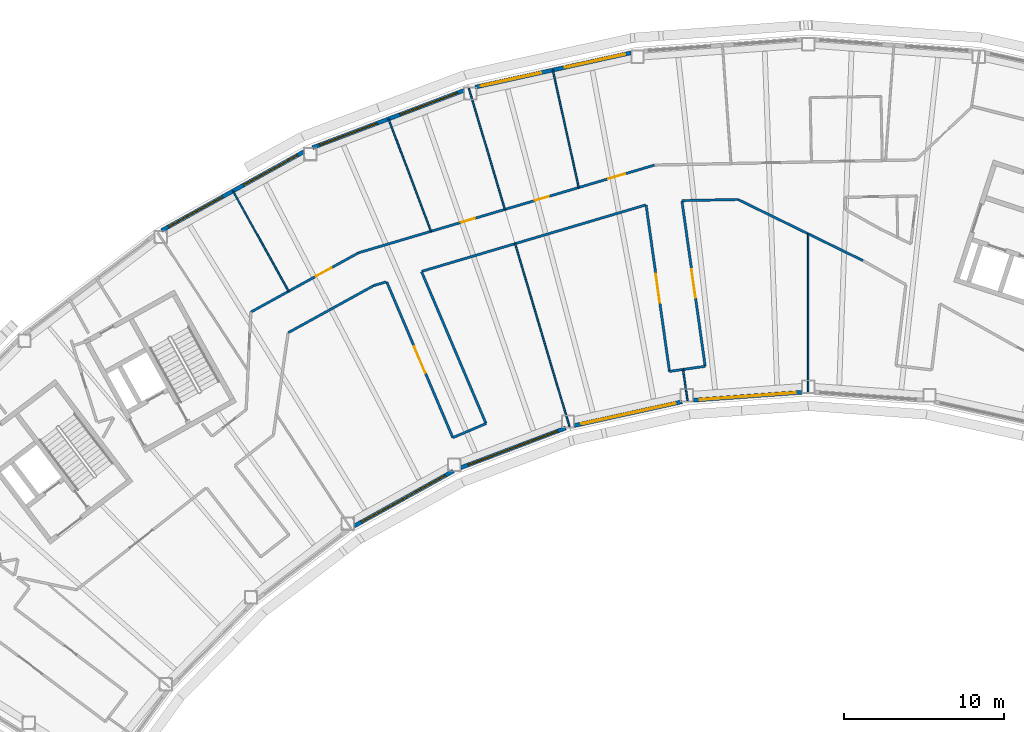
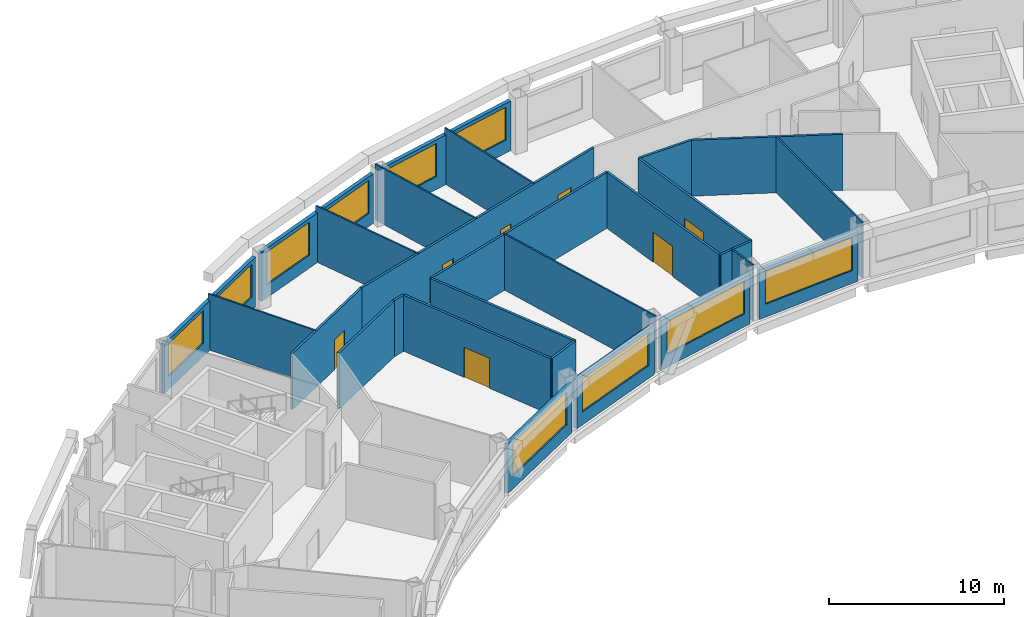
# One storey, part 7 of 14: 27 walls, 10 windows, 7 doors, 17 openings.
"""IFC4 building model written with IfcOpenShell, lengths in metres."""

import ifcopenshell
import ifcopenshell.guid

model = None  # the IFC model being written
_history = None  # IfcOwnerHistory: only IFC2X3 demands one
_inside = {}  # id of a spatial element -> (the spatial element, [elements in it])
_under = {}  # id of a project, library or spatial element -> (it, [spatial elements below it])
_declared = {}  # id of a project -> (the project, [libraries it declares])
_typed = {}  # id of a type object -> (the type object, [elements of that type])
_made_of = {}  # id of a material, layer set ... -> (it, [elements and type objects made of it])


def new_model(schema):
    """Start an empty IFC model of exactly this schema.

    Asked for "IFC4X3", IfcOpenShell would pick the latest addendum, in which some entities
    have other attributes; the version numbers below select the first issue.
    IFC2X3 requires an IfcOwnerHistory on every rooted entity: one is made here for all.
    """
    global model, _history
    if schema == "IFC4X3":
        model = ifcopenshell.file(schema_version=(4, 3, 0, 0))
    else:
        model = ifcopenshell.file(schema=schema)
    _inside.clear()
    _under.clear()
    _declared.clear()
    _typed.clear()
    _made_of.clear()
    _history = None
    if model.schema == "IFC2X3":
        org = make("IfcOrganization", Name="unknown")
        user = make(
            "IfcPersonAndOrganization",
            ThePerson=make("IfcPerson", FamilyName="unknown"),
            TheOrganization=org,
        )
        app = make(
            "IfcApplication",
            ApplicationDeveloper=org,
            Version="unknown",
            ApplicationFullName="unknown",
            ApplicationIdentifier="unknown",
        )
        _history = make(
            "IfcOwnerHistory",
            OwningUser=user,
            OwningApplication=app,
            ChangeAction="ADDED",
            CreationDate=0,
        )
    return model


def make(cls, **values):
    """One entity of the class cls with the attributes given. An attribute that is None is left unset."""
    return model.create_entity(
        cls, **{name: value for name, value in values.items() if value is not None}
    )


def rooted(cls, **values):
    """An entity with a GlobalId (a new one), such as an element, a storey or a relation."""
    return make(cls, GlobalId=ifcopenshell.guid.new(), OwnerHistory=_history, **values)


def si_unit(unit_type, name, prefix=None):
    """IfcSIUnit, for example si_unit("LENGTHUNIT", "METRE", prefix="MILLI")."""
    return make("IfcSIUnit", UnitType=unit_type, Prefix=prefix, Name=name)


def assignment(units):
    """IfcUnitAssignment: the units of a project."""
    return None if units is None else make("IfcUnitAssignment", Units=units)


def point(xyz):
    """IfcCartesianPoint."""
    return None if xyz is None else make("IfcCartesianPoint", Coordinates=xyz)


def direction(xyz):
    """IfcDirection."""
    return None if xyz is None else make("IfcDirection", DirectionRatios=xyz)


def frame(location, z_axis=None, x_axis=None):
    """IfcAxis2Placement3D, a coordinate frame: its origin and axes. An axis left out is left unset."""
    return make(
        "IfcAxis2Placement3D",
        Location=point(location),
        Axis=direction(z_axis),
        RefDirection=direction(x_axis),
    )


def frame_2d(location, x_axis=None):
    """IfcAxis2Placement2D, a coordinate frame in the plane: its origin and x axis."""
    return make(
        "IfcAxis2Placement2D", Location=point(location), RefDirection=direction(x_axis)
    )


def origin():
    """The frame at (0, 0, 0) with its axes left unset."""
    return frame((0.0, 0.0, 0.0))


def place(relative_to, where):
    """IfcLocalPlacement: puts the frame where relative to a parent placement (None: the world)."""
    return make(
        "IfcLocalPlacement", PlacementRelTo=relative_to, RelativePlacement=where
    )


def context(
    kind, dimensions, precision=None, world=None, true_north=None, identifier=None
):
    """IfcGeometricRepresentationContext, for example the 3D "Model" context."""
    return make(
        "IfcGeometricRepresentationContext",
        ContextIdentifier=identifier,
        ContextType=kind,
        CoordinateSpaceDimension=dimensions,
        Precision=precision,
        WorldCoordinateSystem=world,
        TrueNorth=true_north,
    )


def subcontext(parent, identifier, kind, view, scale=None):
    """IfcGeometricRepresentationSubContext, for example "Body" below "Model"."""
    return make(
        "IfcGeometricRepresentationSubContext",
        ContextIdentifier=identifier,
        ContextType=kind,
        ParentContext=parent,
        TargetScale=scale,
        TargetView=view,
    )


def project(units=None, contexts=None):
    """IfcProject with its units and contexts."""
    return rooted(
        "IfcProject",
        Name="project",
        RepresentationContexts=contexts,
        UnitsInContext=assignment(units),
    )


def spatial(cls, under=None, at=None, **own):
    """A site, building, storey or space (cls), placed at a placement, below another one or the project."""
    s = rooted(cls, ObjectPlacement=at, **own)
    if under is not None:
        _under.setdefault(under.id(), (under, []))[1].append(s)
    return s


def profile(cls, at=None, kind="AREA", **sizes):
    """A parametric profile (cls). Its sizes go by their IFC names, for example OverallWidth=200.0."""
    return make(cls, ProfileType=kind, Position=at, **sizes)


def rectangle(**sizes):
    """IfcRectangleProfileDef."""
    return profile("IfcRectangleProfileDef", **sizes)


def extrude(swept, where, along, depth):
    """IfcExtrudedAreaSolid: the profile swept, set in the frame where, extruded along a direction by depth."""
    return make(
        "IfcExtrudedAreaSolid",
        SweptArea=swept,
        Position=where,
        ExtrudedDirection=direction(along),
        Depth=depth,
    )


def shape(context_of_items, identifier, shape_type, items):
    """IfcShapeRepresentation: the items that make up one representation, for example the "Body"."""
    return make(
        "IfcShapeRepresentation",
        ContextOfItems=context_of_items,
        RepresentationIdentifier=identifier,
        RepresentationType=shape_type,
        Items=items,
    )


def material(Name=None, Category=None):
    """IfcMaterial."""
    return make("IfcMaterial", Name=Name, Category=Category)


def layer(
    of_material, thickness, ventilated=None, Name=None, Category=None, Priority=None
):
    """IfcMaterialLayer: one layer of a wall or slab, of a material (None: an air gap)."""
    return make(
        "IfcMaterialLayer",
        Material=of_material,
        LayerThickness=thickness,
        IsVentilated=ventilated,
        Name=Name,
        Category=Category,
        Priority=Priority,
    )


def layer_set(layers, Name=None):
    """IfcMaterialLayerSet."""
    return make("IfcMaterialLayerSet", MaterialLayers=layers, LayerSetName=Name)


def made_of(thing, what):
    """Note that an element or type object is made of a material, layer set ...; save() writes the relation."""
    if what is not None:
        _made_of.setdefault(what.id(), (what, []))[1].append(thing)
    return thing


def type_object(cls, material=None, **own):
    """A type object (cls), such as IfcWallType, which elements share."""
    return made_of(rooted(cls, **own), material)


def element(
    cls,
    number,
    at=None,
    inside=None,
    cuts=None,
    type_object=None,
    material=None,
    context=None,
    identifier="Body",
    shape_type=None,
    held_by="IfcProductDefinitionShape",
    body=None,
    shapes=None,
    **own,
):
    """One element of the class cls, such as IfcWall. Its Tag is "e" and its number.

    at: its placement. inside: the storey or other place that contains it. cuts: it is an
    opening in that element (IfcRelVoidsElement). A single representation is given by context,
    identifier, shape_type and body (its items); several are given by shapes. held_by: the class
    of the entity that holds the representations. save() writes the other relations.
    """
    e = rooted(cls, Tag="e%d" % number, ObjectPlacement=at, **own)
    if body is not None:
        shapes = [shape(context, identifier, shape_type, body)]
    if shapes is not None:
        e.Representation = make(held_by, Representations=shapes)
    if inside is not None:
        _inside.setdefault(inside.id(), (inside, []))[1].append(e)
    if cuts is not None:
        rooted(
            "IfcRelVoidsElement", RelatingBuildingElement=cuts, RelatedOpeningElement=e
        )
    if type_object is not None:
        _typed.setdefault(type_object.id(), (type_object, []))[1].append(e)
    return made_of(e, material)


def fill(opening, filler):
    """IfcRelFillsElement: the door or window that sits in an opening."""
    return rooted(
        "IfcRelFillsElement",
        RelatingOpeningElement=opening,
        RelatedBuildingElement=filler,
    )


def aggregate(whole, parts):
    """IfcRelAggregates: a whole, such as a stair, and the parts it consists of."""
    return rooted("IfcRelAggregates", RelatingObject=whole, RelatedObjects=parts)


def save(model, path):
    """Write the relations noted so far, then the file.

    IfcRelAggregates (storeys below a building ...), IfcRelContainedInSpatialStructure (elements
    in a storey), IfcRelDefinesByType, IfcRelAssociatesMaterial and IfcRelDeclares: one each for
    every whole, place, type object, material and project.
    """
    for whole, parts in _under.values():
        aggregate(whole, parts)
    for where, things in _inside.values():
        rooted(
            "IfcRelContainedInSpatialStructure",
            RelatedElements=things,
            RelatingStructure=where,
        )
    for kind, things in _typed.values():
        rooted("IfcRelDefinesByType", RelatedObjects=things, RelatingType=kind)
    for what, things in _made_of.values():
        rooted("IfcRelAssociatesMaterial", RelatedObjects=things, RelatingMaterial=what)
    for by, libraries in _declared.values():
        rooted("IfcRelDeclares", RelatingContext=by, RelatedDefinitions=libraries)
    model.write(path)


model = new_model("IFC4")

# Units and contexts
model_context = context("Model", 3, precision=1e-05, world=origin(), true_north=direction((0.0, 1.0)))
body_context = subcontext(model_context, "Body", "Model", "MODEL_VIEW")
ifc_project = project(units=[si_unit("LENGTHUNIT", "METRE"), si_unit("AREAUNIT", "SQUARE_METRE"), si_unit("VOLUMEUNIT", "CUBIC_METRE"), si_unit("PLANEANGLEUNIT", "RADIAN"), si_unit("MASSUNIT", "GRAM", prefix="KILO")], contexts=[model_context])

# Site, building, storey
site_placement = place(None, origin())
site = spatial("IfcSite", under=ifc_project, at=site_placement, CompositionType="ELEMENT")
building_placement = place(site_placement, origin())
building = spatial("IfcBuilding", under=site, at=building_placement, Name="Tuul Gate Civic Tower", CompositionType="ELEMENT")
storey_placement = place(building_placement, frame((0.0, 0.0, 269.39990234375)))
storey = spatial("IfcBuildingStorey", under=building, at=storey_placement, Name="Level 61", CompositionType="ELEMENT", Elevation=269.39990234375)

# Wall, openings, doors
ifc_material_1 = material(Name="Gypsum board partition")
ifc_layer_1 = layer(ifc_material_1, 0.14990234375)
ifc_layer_set_1 = layer_set([ifc_layer_1], Name="Gypsum board partition")
wall_type_1 = type_object("IfcWallType", Name="Corridor wall P150", PredefinedType="PARTITIONING", material=ifc_layer_set_1)
wall_1_placement = place(storey_placement, frame((-17.019287109375, 0.470947265625, 0.0), z_axis=(0.0, 0.0, 1.0), x_axis=(0.958801310429, 0.284077537162, 0.0)))
wall_1 = element("IfcWall", 1, at=wall_1_placement, inside=storey, type_object=wall_type_1, Name="p032", PredefinedType="PARTITIONING", context=body_context, shape_type="SweptSolid", body=[
    extrude(rectangle(XDim=19.255126953125, YDim=0.14990234375, at=frame_2d((9.62744140625, 0.0))), origin(), (0.0, 0.0, 1.0), 3.900146484375),
])
opening_1_placement = place(wall_1_placement, frame((16.239013671875, 0.0, 0.0)))
opening_1 = element("IfcOpeningElement", 2, at=opening_1_placement, cuts=wall_1, Name="Opening W-D11", PredefinedType="OPENING", context=body_context, shape_type="SweptSolid", body=[
    extrude(rectangle(XDim=1.10009765625, YDim=2.10009765625, at=frame_2d((0.550048828125, 1.050048828125))), frame((0.0, 0.0849609375, 0.0), z_axis=(0.0, -1.0, 0.0), x_axis=(1.0, 0.0, 0.0)), (0.0, 0.0, 1.0), 0.169921875),
])
opening_2_placement = place(wall_1_placement, frame((11.47021484375, 0.0, 0.0)))
opening_2 = element("IfcOpeningElement", 3, at=opening_2_placement, cuts=wall_1, Name="Opening W-D12", PredefinedType="OPENING", context=body_context, shape_type="SweptSolid", body=[
    extrude(rectangle(XDim=0.89990234375, YDim=2.10009765625, at=frame_2d((0.449951171875, 1.050048828125))), frame((0.0, 0.0849609375, 0.0), z_axis=(0.0, -1.0, 0.0), x_axis=(1.0, 0.0, 0.0)), (0.0, 0.0, 1.0), 0.169921875),
])
opening_3_placement = place(wall_1_placement, frame((6.663818359375, 0.0, 0.0)))
opening_3 = element("IfcOpeningElement", 4, at=opening_3_placement, cuts=wall_1, Name="Opening W-D13", PredefinedType="OPENING", context=body_context, shape_type="SweptSolid", body=[
    extrude(rectangle(XDim=0.89990234375, YDim=2.10009765625, at=frame_2d((0.449951171875, 1.050048828125))), frame((0.0, 0.0849609375, 0.0), z_axis=(0.0, -1.0, 0.0), x_axis=(1.0, 0.0, 0.0)), (0.0, 0.0, 1.0), 0.169921875),
])
ifc_material_2 = material(Name="Timber door leaf", Category="wood")
door_type_1 = type_object("IfcDoorType", Name="Door D09", OperationType="NOTDEFINED", PredefinedType="DOOR", material=ifc_material_2)
door_1_placement = place(opening_2_placement, origin())
door_1 = element("IfcDoor", 5, at=door_1_placement, inside=storey, type_object=door_type_1, Name="Door W-D12", OperationType="SINGLE_SWING_RIGHT", OverallHeight=2.10009765625, OverallWidth=0.89990234375, PredefinedType="DOOR", context=body_context, shape_type="SweptSolid", body=[
    extrude(rectangle(XDim=0.89990234375, YDim=2.10009765625, at=frame_2d((0.449951171875, 1.050048828125))), frame((0.0, 0.02490234375, 0.0), z_axis=(0.0, -1.0, 0.0), x_axis=(1.0, 0.0, 0.0)), (0.0, 0.0, 1.0), 0.050048828125),
])
fill(opening_2, door_1)
door_2_placement = place(opening_3_placement, origin())
door_2 = element("IfcDoor", 6, at=door_2_placement, inside=storey, type_object=door_type_1, Name="Door W-D13", OperationType="SINGLE_SWING_RIGHT", OverallHeight=2.10009765625, OverallWidth=0.89990234375, PredefinedType="DOOR", context=body_context, shape_type="SweptSolid", body=[
    extrude(rectangle(XDim=0.89990234375, YDim=2.10009765625, at=frame_2d((0.449951171875, 1.050048828125))), frame((0.0, 0.02490234375, 0.0), z_axis=(0.0, -1.0, 0.0), x_axis=(1.0, 0.0, 0.0)), (0.0, 0.0, 1.0), 0.050048828125),
])
fill(opening_3, door_2)
ifc_material_3 = material(Name="Timber door leaf", Category="wood")
door_type_2 = type_object("IfcDoorType", Name="Door D11", OperationType="NOTDEFINED", PredefinedType="DOOR", material=ifc_material_3)
door_3_placement = place(opening_1_placement, origin())
door_3 = element("IfcDoor", 7, at=door_3_placement, inside=storey, type_object=door_type_2, Name="Door W-D11", OperationType="SINGLE_SWING_RIGHT", OverallHeight=2.10009765625, OverallWidth=1.10009765625, PredefinedType="DOOR", context=body_context, shape_type="SweptSolid", body=[
    extrude(rectangle(XDim=1.10009765625, YDim=2.10009765625, at=frame_2d((0.550048828125, 1.050048828125))), frame((0.0, 0.02490234375, 0.0), z_axis=(0.0, -1.0, 0.0), x_axis=(1.0, 0.0, 0.0)), (0.0, 0.0, 1.0), 0.050048828125),
])
fill(opening_1, door_3)

# Wall, opening, door
wall_2_placement = place(storey_placement, frame((-23.7451171875, -3.230712890625, 0.0), z_axis=(0.0, 0.0, 1.0), x_axis=(0.876076858948, 0.482171481131, 0.0)))
wall_2 = element("IfcWall", 8, at=wall_2_placement, inside=storey, type_object=wall_type_1, Name="p038", PredefinedType="PARTITIONING", context=body_context, shape_type="SweptSolid", body=[
    extrude(rectangle(XDim=7.675537109375, YDim=0.14990234375, at=frame_2d((3.837890625, 0.0))), origin(), (0.0, 0.0, 1.0), 3.900146484375),
])
opening_4_placement = place(wall_2_placement, frame((4.6318359375, 0.0, 0.0)))
opening_4 = element("IfcOpeningElement", 9, at=opening_4_placement, cuts=wall_2, Name="Opening W-D14", PredefinedType="OPENING", context=body_context, shape_type="SweptSolid", body=[
    extrude(rectangle(XDim=1.10009765625, YDim=2.10009765625, at=frame_2d((0.550048828125, 1.050048828125))), frame((0.0, 0.0849609375, 0.0), z_axis=(0.0, -1.0, 0.0), x_axis=(1.0, 0.0, 0.0)), (0.0, 0.0, 1.0), 0.169921875),
])
door_4_placement = place(opening_4_placement, origin())
door_4 = element("IfcDoor", 10, at=door_4_placement, inside=storey, type_object=door_type_2, Name="Door W-D14", OperationType="SINGLE_SWING_RIGHT", OverallHeight=2.10009765625, OverallWidth=1.10009765625, PredefinedType="DOOR", context=body_context, shape_type="SweptSolid", body=[
    extrude(rectangle(XDim=1.10009765625, YDim=2.10009765625, at=frame_2d((0.550048828125, 1.050048828125))), frame((0.0, 0.02490234375, 0.0), z_axis=(0.0, -1.0, 0.0), x_axis=(1.0, 0.0, 0.0)), (0.0, 0.0, 1.0), 0.050048828125),
])
fill(opening_4, door_4)

# Walls
wall_3_placement = place(storey_placement, frame((6.656494140625, 3.792236328125, 0.0), z_axis=(0.0, 0.0, 1.0), x_axis=(0.898361402665, -0.43925708896, 0.0)))
element("IfcWall", 11, at=wall_3_placement, inside=storey, type_object=wall_type_1, Name="p067", PredefinedType="PARTITIONING", context=body_context, shape_type="SweptSolid", body=[
    extrude(rectangle(XDim=8.672119140625, YDim=0.14990234375, at=frame_2d((4.3359375, 0.0))), origin(), (0.0, 0.0, 1.0), 3.900146484375),
])
wall_4_placement = place(storey_placement, frame((2.37744140625, -6.929931640625, 0.0), z_axis=(0.0, 0.0, 1.0), x_axis=(0.990264063999, 0.139201593207, 0.0)))
element("IfcWall", 12, at=wall_4_placement, inside=storey, type_object=wall_type_1, Name="p081", PredefinedType="PARTITIONING", context=body_context, shape_type="SweptSolid", body=[
    extrude(rectangle(XDim=2.24853515625, YDim=0.14990234375, at=frame_2d((1.124267578125, 0.0))), origin(), (0.0, 0.0, 1.0), 3.900146484375),
])

# Wall, opening, door
wall_5_placement = place(storey_placement, frame((3.154541015625, 3.701904296875, 0.0), z_axis=(0.0, 0.0, 1.0), x_axis=(0.139180515774, -0.990267026629, 0.0)))
wall_5 = element("IfcWall", 13, at=wall_5_placement, inside=storey, type_object=wall_type_1, Name="p082", PredefinedType="PARTITIONING", context=body_context, shape_type="SweptSolid", body=[
    extrude(rectangle(XDim=10.41943359375, YDim=0.14990234375, at=frame_2d((5.209716796875, 0.0))), origin(), (0.0, 0.0, 1.0), 3.900146484375),
])
opening_5_placement = place(wall_5_placement, frame((4.309814453125, 0.0, 0.0)))
opening_5 = element("IfcOpeningElement", 14, at=opening_5_placement, cuts=wall_5, Name="Opening W-D23", PredefinedType="OPENING", context=body_context, shape_type="SweptSolid", body=[
    extrude(rectangle(XDim=1.800048828125, YDim=2.10009765625, at=frame_2d((0.89990234375, 1.050048828125))), frame((0.0, 0.0849609375, 0.0), z_axis=(0.0, -1.0, 0.0), x_axis=(1.0, 0.0, 0.0)), (0.0, 0.0, 1.0), 0.169921875),
])
ifc_material_4 = material(Name="Timber door leaf, double", Category="wood")
door_type_3 = type_object("IfcDoorType", Name="Door D18", OperationType="DOUBLE_DOOR_SINGLE_SWING", PredefinedType="DOOR", material=ifc_material_4)
door_5_placement = place(opening_5_placement, origin())
door_5 = element("IfcDoor", 15, at=door_5_placement, inside=storey, type_object=door_type_3, Name="Door W-D23", OperationType="DOUBLE_DOOR_SINGLE_SWING", OverallHeight=2.10009765625, OverallWidth=1.800048828125, PredefinedType="DOOR", context=body_context, shape_type="SweptSolid", body=[
    extrude(rectangle(XDim=1.800048828125, YDim=2.10009765625, at=frame_2d((0.89990234375, 1.050048828125))), frame((0.0, 0.02490234375, 0.0), z_axis=(0.0, -1.0, 0.0), x_axis=(1.0, 0.0, 0.0)), (0.0, 0.0, 1.0), 0.050048828125),
])
fill(opening_5, door_5)

# Walls
wall_6_placement = place(storey_placement, frame((3.17431640625, 3.72509765625, 0.0), z_axis=(0.0, 0.0, 1.0), x_axis=(0.999799243944, 0.020036761446, 0.0)))
element("IfcWall", 16, at=wall_6_placement, inside=storey, type_object=wall_type_1, Name="p083", PredefinedType="PARTITIONING", context=body_context, shape_type="SweptSolid", body=[
    extrude(rectangle(XDim=3.47265625, YDim=0.14990234375, at=frame_2d((1.736328125, 0.0))), origin(), (0.0, 0.0, 1.0), 3.900146484375),
])
wall_7_placement = place(storey_placement, frame((-16.077392578125, -1.578125, 0.0), z_axis=(0.0, 0.0, 1.0), x_axis=(0.958777141737, 0.284159097133, 0.0)))
element("IfcWall", 17, at=wall_7_placement, inside=storey, type_object=wall_type_1, Name="p085", PredefinedType="PARTITIONING", context=body_context, shape_type="SweptSolid", body=[
    extrude(rectangle(XDim=0.822265625, YDim=0.14990234375, at=frame_2d((0.4111328125, 0.0))), origin(), (0.0, 0.0, 1.0), 3.900146484375),
])
wall_8_placement = place(storey_placement, frame((-13.078369140625, -0.68896484375, 0.0), z_axis=(0.0, 0.0, 1.0), x_axis=(0.958752638079, 0.284241761494, 0.0)))
element("IfcWall", 18, at=wall_8_placement, inside=storey, type_object=wall_type_1, Name="p086", PredefinedType="PARTITIONING", context=body_context, shape_type="SweptSolid", body=[
    extrude(rectangle(XDim=14.5732421875, YDim=0.14990234375, at=frame_2d((7.28662109375, 0.0))), origin(), (0.0, 0.0, 1.0), 3.900146484375),
])

# Wall, opening, door
wall_9_placement = place(storey_placement, frame((0.919921875, 3.4365234375, 0.0), z_axis=(0.0, 0.0, 1.0), x_axis=(0.139171208101, -0.990268334764, 0.0)))
wall_9 = element("IfcWall", 19, at=wall_9_placement, inside=storey, type_object=wall_type_1, Name="p087", PredefinedType="PARTITIONING", context=body_context, shape_type="SweptSolid", body=[
    extrude(rectangle(XDim=10.467529296875, YDim=0.14990234375, at=frame_2d((5.23388671875, 0.0))), origin(), (0.0, 0.0, 1.0), 3.900146484375),
])
opening_6_placement = place(wall_9_placement, frame((4.333984375, 0.0, 0.0)))
opening_6 = element("IfcOpeningElement", 20, at=opening_6_placement, cuts=wall_9, Name="Opening W-D24", PredefinedType="OPENING", context=body_context, shape_type="SweptSolid", body=[
    extrude(rectangle(XDim=1.800048828125, YDim=2.10009765625, at=frame_2d((0.89990234375, 1.050048828125))), frame((0.0, 0.0849609375, 0.0), z_axis=(0.0, -1.0, 0.0), x_axis=(1.0, 0.0, 0.0)), (0.0, 0.0, 1.0), 0.169921875),
])
door_6_placement = place(opening_6_placement, frame((1.800048828125, 0.0, 0.0), z_axis=(0.0, 0.0, 1.0), x_axis=(-1.0, 0.0, 0.0)))
door_6 = element("IfcDoor", 21, at=door_6_placement, inside=storey, type_object=door_type_3, Name="Door W-D24", OperationType="DOUBLE_DOOR_SINGLE_SWING", OverallHeight=2.10009765625, OverallWidth=1.800048828125, PredefinedType="DOOR", context=body_context, shape_type="SweptSolid", body=[
    extrude(rectangle(XDim=1.800048828125, YDim=2.10009765625, at=frame_2d((0.900146484375, 1.050048828125))), frame((0.0, 0.02490234375, 0.0), z_axis=(0.0, -1.0, 0.0), x_axis=(1.0, 0.0, 0.0)), (0.0, 0.0, 1.0), 0.050048828125),
])
fill(opening_6, door_6)

# Walls
wall_10_placement = place(storey_placement, frame((-11.142578125, -11.066162109375, 0.0), z_axis=(0.0, 0.0, 1.0), x_axis=(0.920497823012, 0.390747690754, 0.0)))
element("IfcWall", 22, at=wall_10_placement, inside=storey, type_object=wall_type_1, Name="p088", PredefinedType="PARTITIONING", context=body_context, shape_type="SweptSolid", body=[
    extrude(rectangle(XDim=2.25, YDim=0.14990234375, at=frame_2d((1.125, 0.0))), origin(), (0.0, 0.0, 1.0), 3.900146484375),
])
wall_11_placement = place(storey_placement, frame((-13.09130859375, -0.716552734375, 0.0), z_axis=(0.0, 0.0, 1.0), x_axis=(0.39071499052, -0.920511703447, 0.0)))
element("IfcWall", 23, at=wall_11_placement, inside=storey, type_object=wall_type_1, Name="p089", PredefinedType="PARTITIONING", context=body_context, shape_type="SweptSolid", body=[
    extrude(rectangle(XDim=10.288330078125, YDim=0.14990234375, at=frame_2d((5.14404296875, 0.0))), origin(), (0.0, 0.0, 1.0), 3.900146484375),
])
wall_12_placement = place(storey_placement, frame((-21.41064453125, -4.51416015625, 0.0), z_axis=(0.0, 0.0, 1.0), x_axis=(0.876059220432, 0.482203527877, 0.0)))
element("IfcWall", 24, at=wall_12_placement, inside=storey, type_object=wall_type_1, Name="p091", PredefinedType="PARTITIONING", context=body_context, shape_type="SweptSolid", body=[
    extrude(rectangle(XDim=6.087890625, YDim=0.14990234375, at=frame_2d((3.0439453125, 0.0))), origin(), (0.0, 0.0, 1.0), 3.900146484375),
])

# Wall, opening, door
wall_13_placement = place(storey_placement, frame((-15.26416015625, -1.356201171875, 0.0), z_axis=(0.0, 0.0, 1.0), x_axis=(0.390726963281, -0.920506621467, 0.0)))
wall_13 = element("IfcWall", 25, at=wall_13_placement, inside=storey, type_object=wall_type_1, Name="p092", PredefinedType="PARTITIONING", context=body_context, shape_type="SweptSolid", body=[
    extrude(rectangle(XDim=10.548583984375, YDim=0.14990234375, at=frame_2d((5.2744140625, 0.0))), origin(), (0.0, 0.0, 1.0), 3.900146484375),
])
opening_7_placement = place(wall_13_placement, frame((4.374267578125, 0.0, 0.0)))
opening_7 = element("IfcOpeningElement", 26, at=opening_7_placement, cuts=wall_13, Name="Opening W-D25", PredefinedType="OPENING", context=body_context, shape_type="SweptSolid", body=[
    extrude(rectangle(XDim=1.800048828125, YDim=2.10009765625, at=frame_2d((0.89990234375, 1.050048828125))), frame((0.0, 0.0849609375, 0.0), z_axis=(0.0, -1.0, 0.0), x_axis=(1.0, 0.0, 0.0)), (0.0, 0.0, 1.0), 0.169921875),
])
door_7_placement = place(opening_7_placement, frame((1.800048828125, 0.0, 0.0), z_axis=(0.0, 0.0, 1.0), x_axis=(-1.0, 0.0, 0.0)))
door_7 = element("IfcDoor", 27, at=door_7_placement, inside=storey, type_object=door_type_3, Name="Door W-D25", OperationType="DOUBLE_DOOR_SINGLE_SWING", OverallHeight=2.10009765625, OverallWidth=1.800048828125, PredefinedType="DOOR", context=body_context, shape_type="SweptSolid", body=[
    extrude(rectangle(XDim=1.800048828125, YDim=2.10009765625, at=frame_2d((0.900146484375, 1.050048828125))), frame((0.0, 0.02490234375, 0.0), z_axis=(0.0, -1.0, 0.0), x_axis=(1.0, 0.0, 0.0)), (0.0, 0.0, 1.0), 0.050048828125),
])
fill(opening_7, door_7)

# Wall, openings, windows
ifc_material_5 = material(Name="Precast concrete C40/50", Category="concrete")
ifc_layer_2 = layer(ifc_material_5, 0.25)
ifc_layer_set_2 = layer_set([ifc_layer_2], Name="Precast concrete C40/50")
wall_type_2 = type_object("IfcWallType", Name="External wall", PredefinedType="STANDARD", material=ifc_layer_set_2)
wall_14_placement = place(storey_placement, frame((-0.01904296875, 12.947265625, 0.0), z_axis=(0.0, 0.0, 1.0), x_axis=(-0.976559045146, -0.215249695339, 0.0)))
wall_14 = element("IfcWall", 28, at=wall_14_placement, inside=storey, type_object=wall_type_2, Name="External wall", PredefinedType="STANDARD", context=body_context, shape_type="SweptSolid", body=[
    extrude(rectangle(XDim=9.952880859375, YDim=0.25, at=frame_2d((4.9765625, 0.0))), origin(), (0.0, 0.0, 1.0), 3.4501953125),
])
opening_8_placement = place(wall_14_placement, frame((0.389892578125, 0.0, 0.89990234375)))
opening_8 = element("IfcOpeningElement", 29, at=opening_8_placement, cuts=wall_14, Name="Opening W22", PredefinedType="OPENING", context=body_context, shape_type="SweptSolid", body=[
    extrude(rectangle(XDim=3.85009765625, YDim=2.300048828125, at=frame_2d((1.925048828125, 1.14990234375))), frame((0.0, 0.135009765625, 0.0), z_axis=(0.0, -1.0, 0.0), x_axis=(1.0, 0.0, 0.0)), (0.0, 0.0, 1.0), 0.27001953125),
])
opening_9_placement = place(wall_14_placement, frame((5.7607421875, 0.0, 0.89990234375)))
opening_9 = element("IfcOpeningElement", 30, at=opening_9_placement, cuts=wall_14, Name="Opening W22", PredefinedType="OPENING", context=body_context, shape_type="SweptSolid", body=[
    extrude(rectangle(XDim=3.85009765625, YDim=2.300048828125, at=frame_2d((1.925048828125, 1.14990234375))), frame((0.0, 0.135009765625, 0.0), z_axis=(0.0, -1.0, 0.0), x_axis=(1.0, 0.0, 0.0)), (0.0, 0.0, 1.0), 0.27001953125),
])
ifc_material_6 = material(Name="Glass", Category="glass")
window_type_1 = type_object("IfcWindowType", Name="Window W22 3850 x 2300", PartitioningType="SINGLE_PANEL", PredefinedType="WINDOW", material=ifc_material_6)
window_1_placement = place(opening_8_placement, origin())
window_1 = element("IfcWindow", 31, at=window_1_placement, inside=storey, type_object=window_type_1, Name="Window", OverallHeight=2.300048828125, OverallWidth=3.85009765625, PartitioningType="SINGLE_PANEL", PredefinedType="WINDOW", context=body_context, shape_type="SweptSolid", body=[
    extrude(rectangle(XDim=3.85009765625, YDim=2.300048828125, at=frame_2d((1.925048828125, 1.14990234375))), frame((0.0, 0.030029296875, 0.0), z_axis=(0.0, -1.0, 0.0), x_axis=(1.0, 0.0, 0.0)), (0.0, 0.0, 1.0), 0.06005859375),
])
fill(opening_8, window_1)
window_2_placement = place(opening_9_placement, origin())
window_2 = element("IfcWindow", 32, at=window_2_placement, inside=storey, type_object=window_type_1, Name="Window", OverallHeight=2.300048828125, OverallWidth=3.85009765625, PartitioningType="SINGLE_PANEL", PredefinedType="WINDOW", context=body_context, shape_type="SweptSolid", body=[
    extrude(rectangle(XDim=3.85009765625, YDim=2.300048828125, at=frame_2d((1.925048828125, 1.14990234375))), frame((0.0, 0.030029296875, 0.0), z_axis=(0.0, -1.0, 0.0), x_axis=(1.0, 0.0, 0.0)), (0.0, 0.0, 1.0), 0.06005859375),
])
fill(opening_9, window_2)

wall_15_placement = place(storey_placement, frame((-10.446044921875, 10.6005859375, 0.0), z_axis=(0.0, 0.0, 1.0), x_axis=(-0.935343984789, -0.353739494712, 0.0)))
wall_15 = element("IfcWall", 33, at=wall_15_placement, inside=storey, type_object=wall_type_2, Name="External wall", PredefinedType="STANDARD", context=body_context, shape_type="SweptSolid", body=[
    extrude(rectangle(XDim=10.099365234375, YDim=0.25, at=frame_2d((5.0498046875, 0.0))), origin(), (0.0, 0.0, 1.0), 3.4501953125),
])
opening_10_placement = place(wall_15_placement, frame((0.422607421875, 0.0, 0.89990234375)))
opening_10 = element("IfcOpeningElement", 34, at=opening_10_placement, cuts=wall_15, Name="Opening W22", PredefinedType="OPENING", context=body_context, shape_type="SweptSolid", body=[
    extrude(rectangle(XDim=3.85009765625, YDim=2.300048828125, at=frame_2d((1.925048828125, 1.14990234375))), frame((0.0, 0.135009765625, 0.0), z_axis=(0.0, -1.0, 0.0), x_axis=(1.0, 0.0, 0.0)), (0.0, 0.0, 1.0), 0.27001953125),
])
opening_11_placement = place(wall_15_placement, frame((5.7939453125, 0.0, 0.89990234375)))
opening_11 = element("IfcOpeningElement", 35, at=opening_11_placement, cuts=wall_15, Name="Opening W22", PredefinedType="OPENING", context=body_context, shape_type="SweptSolid", body=[
    extrude(rectangle(XDim=3.85009765625, YDim=2.300048828125, at=frame_2d((1.925048828125, 1.14990234375))), frame((0.0, 0.135009765625, 0.0), z_axis=(0.0, -1.0, 0.0), x_axis=(1.0, 0.0, 0.0)), (0.0, 0.0, 1.0), 0.27001953125),
])
window_3_placement = place(opening_10_placement, origin())
window_3 = element("IfcWindow", 36, at=window_3_placement, inside=storey, type_object=window_type_1, Name="Window", OverallHeight=2.300048828125, OverallWidth=3.85009765625, PartitioningType="SINGLE_PANEL", PredefinedType="WINDOW", context=body_context, shape_type="SweptSolid", body=[
    extrude(rectangle(XDim=3.85009765625, YDim=2.300048828125, at=frame_2d((1.925048828125, 1.14990234375))), frame((0.0, 0.030029296875, 0.0), z_axis=(0.0, -1.0, 0.0), x_axis=(1.0, 0.0, 0.0)), (0.0, 0.0, 1.0), 0.06005859375),
])
fill(opening_10, window_3)
window_4_placement = place(opening_11_placement, origin())
window_4 = element("IfcWindow", 37, at=window_4_placement, inside=storey, type_object=window_type_1, Name="Window", OverallHeight=2.300048828125, OverallWidth=3.85009765625, PartitioningType="SINGLE_PANEL", PredefinedType="WINDOW", context=body_context, shape_type="SweptSolid", body=[
    extrude(rectangle(XDim=3.85009765625, YDim=2.300048828125, at=frame_2d((1.925048828125, 1.14990234375))), frame((0.0, 0.030029296875, 0.0), z_axis=(0.0, -1.0, 0.0), x_axis=(1.0, 0.0, 0.0)), (0.0, 0.0, 1.0), 0.06005859375),
])
fill(opening_11, window_4)

wall_16_placement = place(storey_placement, frame((-20.43310546875, 6.777099609375, 0.0), z_axis=(0.0, 0.0, 1.0), x_axis=(-0.87463069098, -0.484789804345, 0.0)))
wall_16 = element("IfcWall", 38, at=wall_16_placement, inside=storey, type_object=wall_type_2, Name="External wall", PredefinedType="STANDARD", context=body_context, shape_type="SweptSolid", body=[
    extrude(rectangle(XDim=10.1591796875, YDim=0.25, at=frame_2d((5.07958984375, 0.0))), origin(), (0.0, 0.0, 1.0), 3.4501953125),
])
opening_12_placement = place(wall_16_placement, frame((0.4501953125, 0.0, 0.89990234375)))
opening_12 = element("IfcOpeningElement", 39, at=opening_12_placement, cuts=wall_16, Name="Opening W22", PredefinedType="OPENING", context=body_context, shape_type="SweptSolid", body=[
    extrude(rectangle(XDim=3.85009765625, YDim=2.300048828125, at=frame_2d((1.925048828125, 1.14990234375))), frame((0.0, 0.135009765625, 0.0), z_axis=(0.0, -1.0, 0.0), x_axis=(1.0, 0.0, 0.0)), (0.0, 0.0, 1.0), 0.27001953125),
])
opening_13_placement = place(wall_16_placement, frame((5.821533203125, 0.0, 0.89990234375)))
opening_13 = element("IfcOpeningElement", 40, at=opening_13_placement, cuts=wall_16, Name="Opening W22", PredefinedType="OPENING", context=body_context, shape_type="SweptSolid", body=[
    extrude(rectangle(XDim=3.85009765625, YDim=2.300048828125, at=frame_2d((1.925048828125, 1.14990234375))), frame((0.0, 0.135009765625, 0.0), z_axis=(0.0, -1.0, 0.0), x_axis=(1.0, 0.0, 0.0)), (0.0, 0.0, 1.0), 0.27001953125),
])
window_5_placement = place(opening_12_placement, origin())
window_5 = element("IfcWindow", 41, at=window_5_placement, inside=storey, type_object=window_type_1, Name="Window", OverallHeight=2.300048828125, OverallWidth=3.85009765625, PartitioningType="SINGLE_PANEL", PredefinedType="WINDOW", context=body_context, shape_type="SweptSolid", body=[
    extrude(rectangle(XDim=3.85009765625, YDim=2.300048828125, at=frame_2d((1.925048828125, 1.14990234375))), frame((0.0, 0.030029296875, 0.0), z_axis=(0.0, -1.0, 0.0), x_axis=(1.0, 0.0, 0.0)), (0.0, 0.0, 1.0), 0.06005859375),
])
fill(opening_12, window_5)
window_6_placement = place(opening_13_placement, origin())
window_6 = element("IfcWindow", 42, at=window_6_placement, inside=storey, type_object=window_type_1, Name="Window", OverallHeight=2.300048828125, OverallWidth=3.85009765625, PartitioningType="SINGLE_PANEL", PredefinedType="WINDOW", context=body_context, shape_type="SweptSolid", body=[
    extrude(rectangle(XDim=3.85009765625, YDim=2.300048828125, at=frame_2d((1.925048828125, 1.14990234375))), frame((0.0, 0.030029296875, 0.0), z_axis=(0.0, -1.0, 0.0), x_axis=(1.0, 0.0, 0.0)), (0.0, 0.0, 1.0), 0.06005859375),
])
fill(opening_13, window_6)

# Wall, opening, window
wall_17_placement = place(storey_placement, frame((-17.2958984375, -16.580322265625, 0.0), z_axis=(0.0, 0.0, 1.0), x_axis=(0.87461248151, 0.484822655398, 0.0)))
wall_17 = element("IfcWall", 43, at=wall_17_placement, inside=storey, type_object=wall_type_2, Name="External wall", PredefinedType="STANDARD", context=body_context, shape_type="SweptSolid", body=[
    extrude(rectangle(XDim=7.07763671875, YDim=0.25, at=frame_2d((3.538818359375, 0.0))), origin(), (0.0, 0.0, 1.0), 3.4501953125),
])
opening_14_placement = place(wall_17_placement, frame((0.51904296875, 0.0, 0.89990234375)))
opening_14 = element("IfcOpeningElement", 44, at=opening_14_placement, cuts=wall_17, Name="Opening W26", PredefinedType="OPENING", context=body_context, shape_type="SweptSolid", body=[
    extrude(rectangle(XDim=6.0, YDim=2.300048828125, at=frame_2d((3.0, 1.14990234375))), frame((0.0, 0.135009765625, 0.0), z_axis=(0.0, -1.0, 0.0), x_axis=(1.0, 0.0, 0.0)), (0.0, 0.0, 1.0), 0.27001953125),
])
ifc_material_7 = material(Name="Glass", Category="glass")
window_type_2 = type_object("IfcWindowType", Name="Window W26 6000 x 2300", PartitioningType="SINGLE_PANEL", PredefinedType="WINDOW", material=ifc_material_7)
window_7_placement = place(opening_14_placement, origin())
window_7 = element("IfcWindow", 45, at=window_7_placement, inside=storey, type_object=window_type_2, Name="Window", OverallHeight=2.300048828125, OverallWidth=6.0, PartitioningType="SINGLE_PANEL", PredefinedType="WINDOW", context=body_context, shape_type="SweptSolid", body=[
    extrude(rectangle(XDim=6.0, YDim=2.300048828125, at=frame_2d((3.0, 1.14990234375))), frame((0.0, 0.030029296875, 0.0), z_axis=(0.0, -1.0, 0.0), x_axis=(1.0, 0.0, 0.0)), (0.0, 0.0, 1.0), 0.06005859375),
])
fill(opening_14, window_7)

wall_18_placement = place(storey_placement, frame((-10.656005859375, -12.94580078125, 0.0), z_axis=(0.0, 0.0, 1.0), x_axis=(0.935331393711, 0.353772785752, 0.0)))
wall_18 = element("IfcWall", 46, at=wall_18_placement, inside=storey, type_object=wall_type_2, Name="External wall", PredefinedType="STANDARD", context=body_context, shape_type="SweptSolid", body=[
    extrude(rectangle(XDim=7.014892578125, YDim=0.25, at=frame_2d((3.50732421875, 0.0))), origin(), (0.0, 0.0, 1.0), 3.4501953125),
])
opening_15_placement = place(wall_18_placement, frame((0.49169921875, 0.0, 0.89990234375)))
opening_15 = element("IfcOpeningElement", 47, at=opening_15_placement, cuts=wall_18, Name="Opening W26", PredefinedType="OPENING", context=body_context, shape_type="SweptSolid", body=[
    extrude(rectangle(XDim=6.0, YDim=2.300048828125, at=frame_2d((3.0, 1.14990234375))), frame((0.0, 0.135009765625, 0.0), z_axis=(0.0, -1.0, 0.0), x_axis=(1.0, 0.0, 0.0)), (0.0, 0.0, 1.0), 0.27001953125),
])
window_8_placement = place(opening_15_placement, origin())
window_8 = element("IfcWindow", 48, at=window_8_placement, inside=storey, type_object=window_type_2, Name="Window", OverallHeight=2.300048828125, OverallWidth=6.0, PartitioningType="SINGLE_PANEL", PredefinedType="WINDOW", context=body_context, shape_type="SweptSolid", body=[
    extrude(rectangle(XDim=6.0, YDim=2.300048828125, at=frame_2d((3.0, 1.14990234375))), frame((0.0, 0.030029296875, 0.0), z_axis=(0.0, -1.0, 0.0), x_axis=(1.0, 0.0, 0.0)), (0.0, 0.0, 1.0), 0.06005859375),
])
fill(opening_15, window_8)

wall_19_placement = place(storey_placement, frame((-3.554931640625, -10.308349609375, 0.0), z_axis=(0.0, 0.0, 1.0), x_axis=(0.976589118116, 0.215113212929, 0.0)))
wall_19 = element("IfcWall", 49, at=wall_19_placement, inside=storey, type_object=wall_type_2, Name="External wall", PredefinedType="STANDARD", context=body_context, shape_type="SweptSolid", body=[
    extrude(rectangle(XDim=6.8720703125, YDim=0.25, at=frame_2d((3.43603515625, 0.0))), origin(), (0.0, 0.0, 1.0), 3.4501953125),
])
opening_16_placement = place(wall_19_placement, frame((0.4580078125, 0.0, 0.89990234375)))
opening_16 = element("IfcOpeningElement", 50, at=opening_16_placement, cuts=wall_19, Name="Opening W26", PredefinedType="OPENING", context=body_context, shape_type="SweptSolid", body=[
    extrude(rectangle(XDim=6.0, YDim=2.300048828125, at=frame_2d((3.0, 1.14990234375))), frame((0.0, 0.135009765625, 0.0), z_axis=(0.0, -1.0, 0.0), x_axis=(1.0, 0.0, 0.0)), (0.0, 0.0, 1.0), 0.27001953125),
])
window_9_placement = place(opening_16_placement, origin())
window_9 = element("IfcWindow", 51, at=window_9_placement, inside=storey, type_object=window_type_2, Name="Window", OverallHeight=2.300048828125, OverallWidth=6.0, PartitioningType="SINGLE_PANEL", PredefinedType="WINDOW", context=body_context, shape_type="SweptSolid", body=[
    extrude(rectangle(XDim=6.0, YDim=2.300048828125, at=frame_2d((3.0, 1.14990234375))), frame((0.0, 0.030029296875, 0.0), z_axis=(0.0, -1.0, 0.0), x_axis=(1.0, 0.0, 0.0)), (0.0, 0.0, 1.0), 0.06005859375),
])
fill(opening_16, window_9)

wall_20_placement = place(storey_placement, frame((3.85888671875, -8.727294921875, 0.0), z_axis=(0.0, 0.0, 1.0), x_axis=(0.997384983798, 0.072271668677, 0.0)))
wall_20 = element("IfcWall", 52, at=wall_20_placement, inside=storey, type_object=wall_type_2, Name="External wall", PredefinedType="STANDARD", context=body_context, shape_type="SweptSolid", body=[
    extrude(rectangle(XDim=6.7900390625, YDim=0.25, at=frame_2d((3.39501953125, 0.0))), origin(), (0.0, 0.0, 1.0), 3.4501953125),
])
opening_17_placement = place(wall_20_placement, frame((0.41845703125, 0.0, 0.89990234375)))
opening_17 = element("IfcOpeningElement", 53, at=opening_17_placement, cuts=wall_20, Name="Opening W26", PredefinedType="OPENING", context=body_context, shape_type="SweptSolid", body=[
    extrude(rectangle(XDim=6.0, YDim=2.300048828125, at=frame_2d((3.0, 1.14990234375))), frame((0.0, 0.135009765625, 0.0), z_axis=(0.0, -1.0, 0.0), x_axis=(1.0, 0.0, 0.0)), (0.0, 0.0, 1.0), 0.27001953125),
])
window_10_placement = place(opening_17_placement, origin())
window_10 = element("IfcWindow", 54, at=window_10_placement, inside=storey, type_object=window_type_2, Name="Window", OverallHeight=2.300048828125, OverallWidth=6.0, PartitioningType="SINGLE_PANEL", PredefinedType="WINDOW", context=body_context, shape_type="SweptSolid", body=[
    extrude(rectangle(XDim=6.0, YDim=2.300048828125, at=frame_2d((3.0, 1.14990234375))), frame((0.0, 0.030029296875, 0.0), z_axis=(0.0, -1.0, 0.0), x_axis=(1.0, 0.0, 0.0)), (0.0, 0.0, 1.0), 0.06005859375),
])
fill(opening_17, window_10)

# Walls
ifc_material_8 = material(Name="Gypsum board partition")
ifc_layer_3 = layer(ifc_material_8, 0.10009765625)
ifc_layer_set_3 = layer_set([ifc_layer_3], Name="Gypsum board partition")
wall_type_3 = type_object("IfcWallType", Name="Partition P100", PredefinedType="PARTITIONING", material=ifc_layer_set_3)
wall_21_placement = place(storey_placement, frame((-4.903076171875, 11.875732421875, 0.0), z_axis=(0.0, 0.0, 1.0), x_axis=(0.215216406463, -0.976566381968, 0.0)))
element("IfcWall", 55, at=wall_21_placement, inside=storey, type_object=wall_type_3, Name="p031", PredefinedType="PARTITIONING", context=body_context, shape_type="SweptSolid", body=[
    extrude(rectangle(XDim=7.511962890625, YDim=0.10009765625, at=frame_2d((3.755859375, 0.0))), origin(), (0.0, 0.0, 1.0), 3.900146484375),
])
wall_22_placement = place(storey_placement, frame((-10.139892578125, 10.7216796875, 0.0), z_axis=(0.0, 0.0, 1.0), x_axis=(0.285188152058, -0.958471553008, 0.0)))
element("IfcWall", 56, at=wall_22_placement, inside=storey, type_object=wall_type_3, Name="p033", PredefinedType="PARTITIONING", context=body_context, shape_type="SweptSolid", body=[
    extrude(rectangle(XDim=7.8740234375, YDim=0.10009765625, at=frame_2d((3.93701171875, 0.0))), origin(), (0.0, 0.0, 1.0), 3.900146484375),
])
wall_23_placement = place(storey_placement, frame((-7.258056640625, 1.03662109375, 0.0), z_axis=(0.0, 0.0, 1.0), x_axis=(0.28520742282, -0.958465818884, 0.0)))
element("IfcWall", 57, at=wall_23_placement, inside=storey, type_object=wall_type_3, Name="p034", PredefinedType="PARTITIONING", context=body_context, shape_type="SweptSolid", body=[
    extrude(rectangle(XDim=11.912353515625, YDim=0.10009765625, at=frame_2d((5.9560546875, 0.0))), origin(), (0.0, 0.0, 1.0), 3.900146484375),
])
wall_24_placement = place(storey_placement, frame((-15.15576171875, 8.82470703125, 0.0), z_axis=(0.0, 0.0, 1.0), x_axis=(0.353690465147, -0.935362525903, 0.0)))
element("IfcWall", 58, at=wall_24_placement, inside=storey, type_object=wall_type_3, Name="p035", PredefinedType="PARTITIONING", context=body_context, shape_type="SweptSolid", body=[
    extrude(rectangle(XDim=7.50048828125, YDim=0.10009765625, at=frame_2d((3.750244140625, 0.0))), origin(), (0.0, 0.0, 1.0), 3.900146484375),
])
wall_25_placement = place(storey_placement, frame((-24.86181640625, 4.327880859375, 0.0), z_axis=(0.0, 0.0, 1.0), x_axis=(0.484806078651, -0.874621670269, 0.0)))
element("IfcWall", 59, at=wall_25_placement, inside=storey, type_object=wall_type_3, Name="p036", PredefinedType="PARTITIONING", context=body_context, shape_type="SweptSolid", body=[
    extrude(rectangle(XDim=7.160400390625, YDim=0.10009765625, at=frame_2d((3.580078125, 0.0))), origin(), (0.0, 0.0, 1.0), 3.900146484375),
])
wall_26_placement = place(storey_placement, frame((11.031005859375, -8.212646484375, 0.0), z_axis=(0.0, 0.0, 1.0), x_axis=(0.0, 1.0, 0.0)))
element("IfcWall", 60, at=wall_26_placement, inside=storey, type_object=wall_type_3, Name="p066", PredefinedType="PARTITIONING", context=body_context, shape_type="SweptSolid", body=[
    extrude(rectangle(XDim=9.865966796875, YDim=0.10009765625, at=frame_2d((4.93310546875, 0.0))), origin(), (0.0, 0.0, 1.0), 3.900146484375),
])
wall_27_placement = place(storey_placement, frame((3.22314453125, -6.81103515625, 0.0), z_axis=(0.0, 0.0, 1.0), x_axis=(0.144079049005, -0.989566181535, 0.0)))
element("IfcWall", 61, at=wall_27_placement, inside=storey, type_object=wall_type_3, Name="p080", PredefinedType="PARTITIONING", context=body_context, shape_type="SweptSolid", body=[
    extrude(rectangle(XDim=1.96728515625, YDim=0.10009765625, at=frame_2d((0.983642578125, 0.0))), origin(), (0.0, 0.0, 1.0), 3.900146484375),
])

save(model, "model.ifc")
